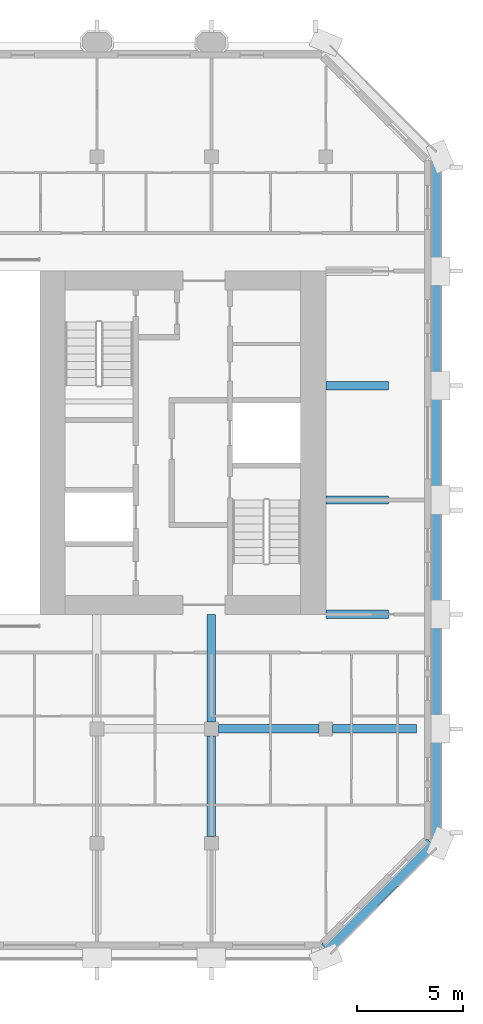
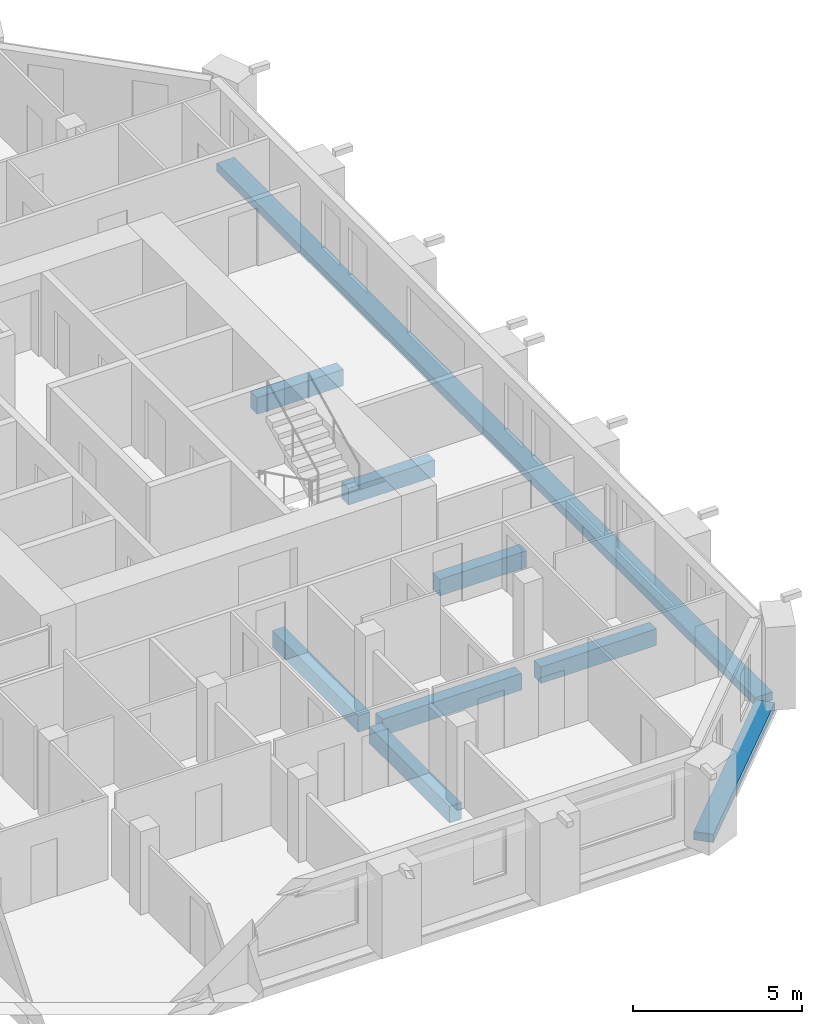
# One storey, part 3 of 14: 9 beams.
"""IFC4 building model written with IfcOpenShell, lengths in metres."""

from ifc_helpers import new_model, si_unit, direction, frame, origin, origin_2d, place, context, subcontext, project, spatial, rectangle, extrude, material, material_profile, profile_set, type_object, element, save


model = new_model("IFC4")

# Units and contexts
model_context = context("Model", 3, precision=1e-05, world=origin(), true_north=direction((0.0, 1.0)))
body_context = subcontext(model_context, "Body", "Model", "MODEL_VIEW")
ifc_project = project(units=[si_unit("LENGTHUNIT", "METRE"), si_unit("AREAUNIT", "SQUARE_METRE"), si_unit("VOLUMEUNIT", "CUBIC_METRE"), si_unit("PLANEANGLEUNIT", "RADIAN"), si_unit("MASSUNIT", "GRAM", prefix="KILO")], contexts=[model_context])

# Site, building, storey
site_placement = place(None, origin())
site = spatial("IfcSite", under=ifc_project, at=site_placement, CompositionType="ELEMENT")
building_placement = place(site_placement, origin())
building = spatial("IfcBuilding", under=site, at=building_placement, Name="Tabaq Tower and Sports Hall", CompositionType="ELEMENT")
storey_placement = place(building_placement, frame((0.0, 0.0, 275.199951171875)))
storey = spatial("IfcBuildingStorey", under=building, at=storey_placement, Name="L67", CompositionType="ELEMENT", Elevation=275.199951171875)

# Beams
ifc_material_1 = material(Name="Concrete C40/50", Category="concrete")
ifc_material_profile_1 = material_profile(ifc_material_1, rectangle(XDim=0.39990234375, YDim=0.60009765625, at=origin_2d()), Name="CB 400x600")
ifc_profile_set_1 = profile_set([ifc_material_profile_1], Name="Concrete C40/50")
beam_type_1 = type_object("IfcBeamType", Name="PT CANTILEVER BEAM CB 400x600 C40/50", PredefinedType="BEAM", material=ifc_profile_set_1)
beam_1_placement = place(storey_placement, frame((47.47509765625, 10.800048828125, -0.599853515625), z_axis=(-1.0, 0.0, 0.0), x_axis=(0.0, -1.0, 0.0)))
element("IfcBeam", 1, at=beam_1_placement, inside=storey, type_object=beam_type_1, Name="Cantilever Beam L67 E2 span 1", PredefinedType="BEAM", context=body_context, shape_type="SweptSolid", body=[
    extrude(rectangle(XDim=0.39990234375, YDim=0.60009765625, at=origin_2d()), origin(), (0.0, 0.0, 1.0), 3.9501953125),
])
beam_2_placement = place(storey_placement, frame((42.875, 10.800048828125, -0.599853515625), z_axis=(-1.0, 0.0, 0.0), x_axis=(0.0, -1.0, 0.0)))
element("IfcBeam", 2, at=beam_2_placement, inside=storey, type_object=beam_type_1, Name="Cantilever Beam L67 E2 span 2", PredefinedType="BEAM", context=body_context, shape_type="SweptSolid", body=[
    extrude(rectangle(XDim=0.39990234375, YDim=0.60009765625, at=origin_2d()), origin(), (0.0, 0.0, 1.0), 4.75),
])
for number, where, z_axis, x_axis, name in (
    (3, (46.14990234375, 16.199951171875, -0.599853515625), (-1.0, 0.0, 0.0), (0.0, -1.0, 0.0), "Cantilever Beam L67 E3 span 1"),
    (4, (46.14990234375, 21.60009765625, -0.599853515625), (-1.0, 0.0, 0.0), (0.0, -1.0, 0.0), "Cantilever Beam L67 E4 span 1"),
    (5, (46.14990234375, 27.0, -0.599853515625), (-1.0, 0.0, 0.0), (0.0, -1.0, 0.0), "Cantilever Beam L67 E5 span 1"),
):
    element("IfcBeam", number, at=place(storey_placement, frame(where, z_axis=z_axis, x_axis=x_axis)), inside=storey, type_object=beam_type_1, Name=name, PredefinedType="BEAM", context=body_context, shape_type="SweptSolid", body=[
        extrude(rectangle(XDim=0.39990234375, YDim=0.60009765625, at=origin_2d()), origin(), (0.0, 0.0, 1.0), 2.949951171875),
    ])
beam_3_placement = place(storey_placement, frame((37.800048828125, 5.72509765625, -0.599853515625), z_axis=(0.0, 1.0, 0.0), x_axis=(-1.0, 0.0, 0.0)))
element("IfcBeam", 6, at=beam_3_placement, inside=storey, type_object=beam_type_1, Name="Cantilever Beam L67 S7 span 2", PredefinedType="BEAM", context=body_context, shape_type="SweptSolid", body=[
    extrude(rectangle(XDim=0.39990234375, YDim=0.60009765625, at=origin_2d()), origin(), (0.0, 0.0, 1.0), 4.75),
])
beam_4_placement = place(storey_placement, frame((37.800048828125, 11.125, -0.599853515625), z_axis=(0.0, 1.0, 0.0), x_axis=(-1.0, 0.0, 0.0)))
element("IfcBeam", 7, at=beam_4_placement, inside=storey, type_object=beam_type_1, Name="Cantilever Beam L67 S7 span 3", PredefinedType="BEAM", context=body_context, shape_type="SweptSolid", body=[
    extrude(rectangle(XDim=0.39990234375, YDim=0.60009765625, at=origin_2d()), origin(), (0.0, 0.0, 1.0), 5.074951171875),
])
ifc_material_2 = material(Name="Concrete C40/50", Category="concrete")
ifc_material_profile_2 = material_profile(ifc_material_2, rectangle(XDim=0.60009765625, YDim=0.300048828125, at=origin_2d()), Name="EB 600x300")
ifc_profile_set_2 = profile_set([ifc_material_profile_2], Name="Concrete C40/50")
beam_type_2 = type_object("IfcBeamType", Name="PT EDGE BEAM EB 600x300 C40/50", PredefinedType="SPANDREL", material=ifc_profile_set_2)
beam_5_placement = place(storey_placement, frame((43.198974609375, 0.42333984375, -0.14990234375), z_axis=(0.707106781187, 0.707106781187, 0.0), x_axis=(-0.707106781187, 0.707106781187, 0.0)))
element("IfcBeam", 8, at=beam_5_placement, inside=storey, type_object=beam_type_2, Name="Edge Beam L67 2", PredefinedType="SPANDREL", context=body_context, shape_type="SweptSolid", body=[
    extrude(rectangle(XDim=0.60009765625, YDim=0.300048828125, at=origin_2d()), origin(), (0.0, 0.0, 1.0), 7.03955078125),
])
beam_6_placement = place(storey_placement, frame((48.300048828125, 5.698486328125, -0.14990234375), z_axis=(0.0, 1.0, 0.0), x_axis=(-1.0, 0.0, 0.0)))
element("IfcBeam", 9, at=beam_6_placement, inside=storey, type_object=beam_type_2, Name="Edge Beam L67 3", PredefinedType="SPANDREL", context=body_context, shape_type="SweptSolid", body=[
    extrude(rectangle(XDim=0.60009765625, YDim=0.300048828125, at=origin_2d()), origin(), (0.0, 0.0, 1.0), 31.802978515625),
])

save(model, "model.ifc")
